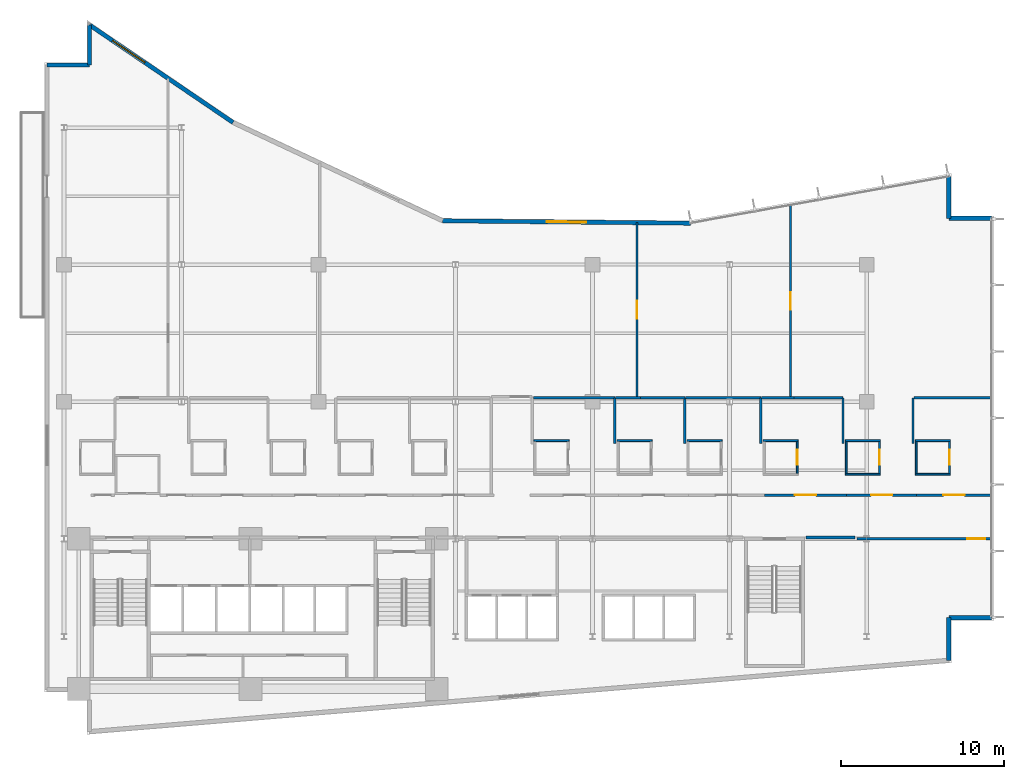
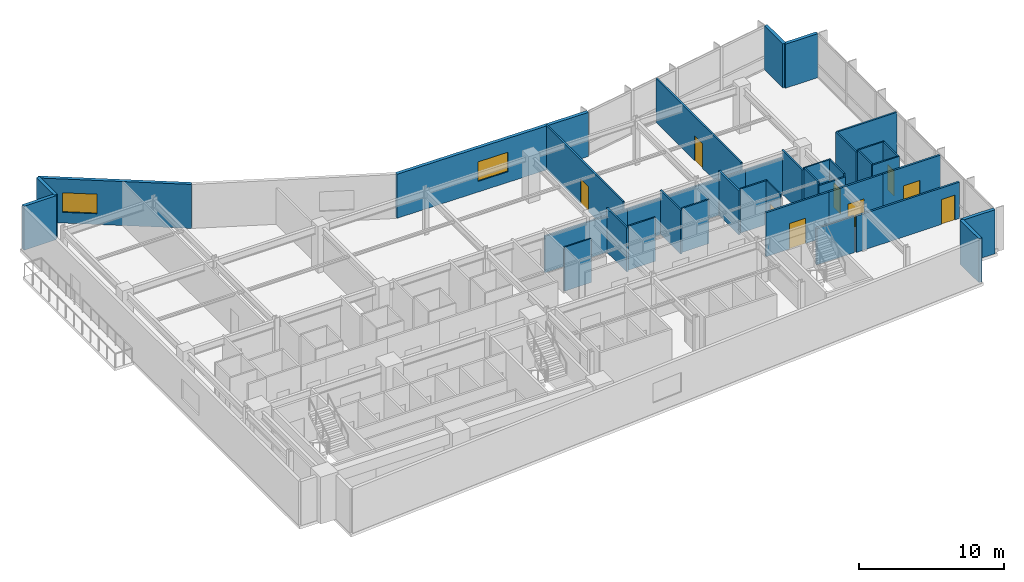
# One storey, part 15 of 21: 40 walls, 9 doors, 2 windows, 11 openings.
"""IFC4 building model written with IfcOpenShell, lengths in metres."""

import ifcopenshell
import ifcopenshell.guid

model = None  # the IFC model being written
_history = None  # IfcOwnerHistory: only IFC2X3 demands one
_inside = {}  # id of a spatial element -> (the spatial element, [elements in it])
_under = {}  # id of a project, library or spatial element -> (it, [spatial elements below it])
_declared = {}  # id of a project -> (the project, [libraries it declares])
_typed = {}  # id of a type object -> (the type object, [elements of that type])
_made_of = {}  # id of a material, layer set ... -> (it, [elements and type objects made of it])


def new_model(schema):
    """Start an empty IFC model of exactly this schema.

    Asked for "IFC4X3", IfcOpenShell would pick the latest addendum, in which some entities
    have other attributes; the version numbers below select the first issue.
    IFC2X3 requires an IfcOwnerHistory on every rooted entity: one is made here for all.
    """
    global model, _history
    if schema == "IFC4X3":
        model = ifcopenshell.file(schema_version=(4, 3, 0, 0))
    else:
        model = ifcopenshell.file(schema=schema)
    _inside.clear()
    _under.clear()
    _declared.clear()
    _typed.clear()
    _made_of.clear()
    _history = None
    if model.schema == "IFC2X3":
        org = make("IfcOrganization", Name="unknown")
        user = make(
            "IfcPersonAndOrganization",
            ThePerson=make("IfcPerson", FamilyName="unknown"),
            TheOrganization=org,
        )
        app = make(
            "IfcApplication",
            ApplicationDeveloper=org,
            Version="unknown",
            ApplicationFullName="unknown",
            ApplicationIdentifier="unknown",
        )
        _history = make(
            "IfcOwnerHistory",
            OwningUser=user,
            OwningApplication=app,
            ChangeAction="ADDED",
            CreationDate=0,
        )
    return model


def make(cls, **values):
    """One entity of the class cls with the attributes given. An attribute that is None is left unset."""
    return model.create_entity(
        cls, **{name: value for name, value in values.items() if value is not None}
    )


def rooted(cls, **values):
    """An entity with a GlobalId (a new one), such as an element, a storey or a relation."""
    return make(cls, GlobalId=ifcopenshell.guid.new(), OwnerHistory=_history, **values)


def si_unit(unit_type, name, prefix=None):
    """IfcSIUnit, for example si_unit("LENGTHUNIT", "METRE", prefix="MILLI")."""
    return make("IfcSIUnit", UnitType=unit_type, Prefix=prefix, Name=name)


def assignment(units):
    """IfcUnitAssignment: the units of a project."""
    return None if units is None else make("IfcUnitAssignment", Units=units)


def point(xyz):
    """IfcCartesianPoint."""
    return None if xyz is None else make("IfcCartesianPoint", Coordinates=xyz)


def direction(xyz):
    """IfcDirection."""
    return None if xyz is None else make("IfcDirection", DirectionRatios=xyz)


def frame(location, z_axis=None, x_axis=None):
    """IfcAxis2Placement3D, a coordinate frame: its origin and axes. An axis left out is left unset."""
    return make(
        "IfcAxis2Placement3D",
        Location=point(location),
        Axis=direction(z_axis),
        RefDirection=direction(x_axis),
    )


def frame_2d(location, x_axis=None):
    """IfcAxis2Placement2D, a coordinate frame in the plane: its origin and x axis."""
    return make(
        "IfcAxis2Placement2D", Location=point(location), RefDirection=direction(x_axis)
    )


def origin():
    """The frame at (0, 0, 0) with its axes left unset."""
    return frame((0.0, 0.0, 0.0))


def place(relative_to, where):
    """IfcLocalPlacement: puts the frame where relative to a parent placement (None: the world)."""
    return make(
        "IfcLocalPlacement", PlacementRelTo=relative_to, RelativePlacement=where
    )


def context(
    kind, dimensions, precision=None, world=None, true_north=None, identifier=None
):
    """IfcGeometricRepresentationContext, for example the 3D "Model" context."""
    return make(
        "IfcGeometricRepresentationContext",
        ContextIdentifier=identifier,
        ContextType=kind,
        CoordinateSpaceDimension=dimensions,
        Precision=precision,
        WorldCoordinateSystem=world,
        TrueNorth=true_north,
    )


def subcontext(parent, identifier, kind, view, scale=None):
    """IfcGeometricRepresentationSubContext, for example "Body" below "Model"."""
    return make(
        "IfcGeometricRepresentationSubContext",
        ContextIdentifier=identifier,
        ContextType=kind,
        ParentContext=parent,
        TargetScale=scale,
        TargetView=view,
    )


def project(units=None, contexts=None):
    """IfcProject with its units and contexts."""
    return rooted(
        "IfcProject",
        Name="project",
        RepresentationContexts=contexts,
        UnitsInContext=assignment(units),
    )


def spatial(cls, under=None, at=None, **own):
    """A site, building, storey or space (cls), placed at a placement, below another one or the project."""
    s = rooted(cls, ObjectPlacement=at, **own)
    if under is not None:
        _under.setdefault(under.id(), (under, []))[1].append(s)
    return s


def profile(cls, at=None, kind="AREA", **sizes):
    """A parametric profile (cls). Its sizes go by their IFC names, for example OverallWidth=200.0."""
    return make(cls, ProfileType=kind, Position=at, **sizes)


def rectangle(**sizes):
    """IfcRectangleProfileDef."""
    return profile("IfcRectangleProfileDef", **sizes)


def extrude(swept, where, along, depth):
    """IfcExtrudedAreaSolid: the profile swept, set in the frame where, extruded along a direction by depth."""
    return make(
        "IfcExtrudedAreaSolid",
        SweptArea=swept,
        Position=where,
        ExtrudedDirection=direction(along),
        Depth=depth,
    )


def shape(context_of_items, identifier, shape_type, items):
    """IfcShapeRepresentation: the items that make up one representation, for example the "Body"."""
    return make(
        "IfcShapeRepresentation",
        ContextOfItems=context_of_items,
        RepresentationIdentifier=identifier,
        RepresentationType=shape_type,
        Items=items,
    )


def material(Name=None, Category=None):
    """IfcMaterial."""
    return make("IfcMaterial", Name=Name, Category=Category)


def layer(
    of_material, thickness, ventilated=None, Name=None, Category=None, Priority=None
):
    """IfcMaterialLayer: one layer of a wall or slab, of a material (None: an air gap)."""
    return make(
        "IfcMaterialLayer",
        Material=of_material,
        LayerThickness=thickness,
        IsVentilated=ventilated,
        Name=Name,
        Category=Category,
        Priority=Priority,
    )


def layer_set(layers, Name=None):
    """IfcMaterialLayerSet."""
    return make("IfcMaterialLayerSet", MaterialLayers=layers, LayerSetName=Name)


def made_of(thing, what):
    """Note that an element or type object is made of a material, layer set ...; save() writes the relation."""
    if what is not None:
        _made_of.setdefault(what.id(), (what, []))[1].append(thing)
    return thing


def type_object(cls, material=None, **own):
    """A type object (cls), such as IfcWallType, which elements share."""
    return made_of(rooted(cls, **own), material)


def element(
    cls,
    number,
    at=None,
    inside=None,
    cuts=None,
    type_object=None,
    material=None,
    context=None,
    identifier="Body",
    shape_type=None,
    held_by="IfcProductDefinitionShape",
    body=None,
    shapes=None,
    **own,
):
    """One element of the class cls, such as IfcWall. Its Tag is "e" and its number.

    at: its placement. inside: the storey or other place that contains it. cuts: it is an
    opening in that element (IfcRelVoidsElement). A single representation is given by context,
    identifier, shape_type and body (its items); several are given by shapes. held_by: the class
    of the entity that holds the representations. save() writes the other relations.
    """
    e = rooted(cls, Tag="e%d" % number, ObjectPlacement=at, **own)
    if body is not None:
        shapes = [shape(context, identifier, shape_type, body)]
    if shapes is not None:
        e.Representation = make(held_by, Representations=shapes)
    if inside is not None:
        _inside.setdefault(inside.id(), (inside, []))[1].append(e)
    if cuts is not None:
        rooted(
            "IfcRelVoidsElement", RelatingBuildingElement=cuts, RelatedOpeningElement=e
        )
    if type_object is not None:
        _typed.setdefault(type_object.id(), (type_object, []))[1].append(e)
    return made_of(e, material)


def fill(opening, filler):
    """IfcRelFillsElement: the door or window that sits in an opening."""
    return rooted(
        "IfcRelFillsElement",
        RelatingOpeningElement=opening,
        RelatedBuildingElement=filler,
    )


def aggregate(whole, parts):
    """IfcRelAggregates: a whole, such as a stair, and the parts it consists of."""
    return rooted("IfcRelAggregates", RelatingObject=whole, RelatedObjects=parts)


def save(model, path):
    """Write the relations noted so far, then the file.

    IfcRelAggregates (storeys below a building ...), IfcRelContainedInSpatialStructure (elements
    in a storey), IfcRelDefinesByType, IfcRelAssociatesMaterial and IfcRelDeclares: one each for
    every whole, place, type object, material and project.
    """
    for whole, parts in _under.values():
        aggregate(whole, parts)
    for where, things in _inside.values():
        rooted(
            "IfcRelContainedInSpatialStructure",
            RelatedElements=things,
            RelatingStructure=where,
        )
    for kind, things in _typed.values():
        rooted("IfcRelDefinesByType", RelatedObjects=things, RelatingType=kind)
    for what, things in _made_of.values():
        rooted("IfcRelAssociatesMaterial", RelatedObjects=things, RelatingMaterial=what)
    for by, libraries in _declared.values():
        rooted("IfcRelDeclares", RelatingContext=by, RelatedDefinitions=libraries)
    model.write(path)


model = new_model("IFC4")

# Units and contexts
model_context = context("Model", 3, precision=1e-05, world=origin(), true_north=direction((0.0, 1.0)))
body_context = subcontext(model_context, "Body", "Model", "MODEL_VIEW")
ifc_project = project(units=[si_unit("LENGTHUNIT", "METRE"), si_unit("AREAUNIT", "SQUARE_METRE"), si_unit("VOLUMEUNIT", "CUBIC_METRE"), si_unit("PLANEANGLEUNIT", "RADIAN"), si_unit("MASSUNIT", "GRAM", prefix="KILO")], contexts=[model_context])

# Site, building, storey
site_placement = place(None, origin())
site = spatial("IfcSite", under=ifc_project, at=site_placement, CompositionType="ELEMENT")
building_placement = place(site_placement, origin())
building = spatial("IfcBuilding", under=site, at=building_placement, Name="Varnakote Quay Hospital", CompositionType="ELEMENT")
storey_placement = place(building_placement, frame((0.0, 0.0, 34.35009765625)))
storey = spatial("IfcBuildingStorey", under=building, at=storey_placement, Name="L08", CompositionType="ELEMENT", Elevation=34.35009765625)

# Walls
ifc_material_1 = material(Name="Fire-rated acoustic gypsum stud wall", Category="gypsum")
ifc_layer_1 = layer(ifc_material_1, 0.159912109375)
ifc_layer_set_1 = layer_set([ifc_layer_1], Name="Fire-rated acoustic gypsum stud wall")
wall_type_1 = type_object("IfcWallType", Name="WL-COMP-160", PredefinedType="PARTITIONING", material=ifc_layer_set_1)
wall_1_placement = place(storey_placement, frame((46.689208984375, 12.080078125, 0.0), z_axis=(0.0, 0.0, 1.0), x_axis=(1.0, 0.0, 0.0)))
element("IfcWall", 1, at=wall_1_placement, inside=storey, type_object=wall_type_1, Name="L08 Corridor South Gap Wall", PredefinedType="PARTITIONING", context=body_context, shape_type="SweptSolid", body=[
    extrude(rectangle(XDim=3.0107421875, YDim=0.159912109375, at=frame_2d((1.50537109375, 0.0))), origin(), (0.0, 0.0, 1.0), 3.072998046875),
])
ifc_material_2 = material(Name="Moisture-resistant bathroom partition", Category="gypsum")
ifc_layer_2 = layer(ifc_material_2, 0.114990234375)
ifc_layer_set_2 = layer_set([ifc_layer_2], Name="Moisture-resistant bathroom partition")
wall_type_2 = type_object("IfcWallType", Name="WL-ENS-115", PredefinedType="PARTITIONING", material=ifc_layer_set_2)
wall_2_placement = place(storey_placement, frame((30.0048828125, 18.017578125, 0.0), z_axis=(0.0, 0.0, 1.0), x_axis=(1.0, 0.0, 0.0)))
element("IfcWall", 2, at=wall_2_placement, inside=storey, type_object=wall_type_2, Name="L08 Inpatient En-Suite Bathroom 06 N Wall", PredefinedType="PARTITIONING", context=body_context, shape_type="SweptSolid", body=[
    extrude(rectangle(XDim=2.150146484375, YDim=0.114990234375, at=frame_2d((1.0751953125, 0.0))), origin(), (0.0, 0.0, 1.0), 3.7099609375),
])
for number, where, z_axis, x_axis, name in (
    (3, (35.10498046875, 18.017578125, 0.0), (0.0, 0.0, 1.0), (1.0, 0.0, 0.0), "L08 Inpatient En-Suite Bathroom 07 N Wall"),
    (4, (39.39501953125, 18.017578125, 0.0), (0.0, 0.0, 1.0), (1.0, 0.0, 0.0), "L08 Inpatient En-Suite Bathroom 08 N Wall"),
):
    element("IfcWall", number, at=place(storey_placement, frame(where, z_axis=z_axis, x_axis=x_axis)), inside=storey, type_object=wall_type_2, Name=name, PredefinedType="PARTITIONING", context=body_context, shape_type="SweptSolid", body=[
        extrude(rectangle(XDim=2.14990234375, YDim=0.114990234375, at=frame_2d((1.074951171875, 0.0))), origin(), (0.0, 0.0, 1.0), 3.7099609375),
    ])
wall_3_placement = place(storey_placement, frame((44.054931640625, 18.017578125, 0.0), z_axis=(0.0, 0.0, 1.0), x_axis=(1.0, 0.0, 0.0)))
element("IfcWall", 5, at=wall_3_placement, inside=storey, type_object=wall_type_2, Name="L08 Inpatient En-Suite Bathroom 09 N Wall", PredefinedType="PARTITIONING", context=body_context, shape_type="SweptSolid", body=[
    extrude(rectangle(XDim=2.150146484375, YDim=0.114990234375, at=frame_2d((1.0751953125, 0.0))), origin(), (0.0, 0.0, 1.0), 3.7099609375),
])

# Wall, opening, door
wall_4_placement = place(storey_placement, frame((46.1474609375, 16.010009765625, 0.0), z_axis=(0.0, 0.0, 1.0), x_axis=(0.0, 1.0, 0.0)))
wall_4 = element("IfcWall", 6, at=wall_4_placement, inside=storey, type_object=wall_type_2, Name="L08 Inpatient En-Suite Bathroom 09 E Wall", PredefinedType="PARTITIONING", context=body_context, shape_type="SweptSolid", body=[
    extrude(rectangle(XDim=1.949951171875, YDim=0.114990234375, at=frame_2d((0.97509765625, 0.0))), origin(), (0.0, 0.0, 1.0), 3.7099609375),
])
opening_1_placement = place(wall_4_placement, frame((0.514892578125, 0.0, 0.0)))
opening_1 = element("IfcOpeningElement", 7, at=opening_1_placement, cuts=wall_4, Name="Opening D-L08-ENS09", PredefinedType="OPENING", context=body_context, shape_type="SweptSolid", body=[
    extrude(rectangle(XDim=0.919921875, YDim=2.10009765625, at=frame_2d((0.4599609375, 1.050048828125))), frame((0.0, 0.0673828125, 0.0), z_axis=(0.0, -1.0, 0.0), x_axis=(1.0, 0.0, 0.0)), (0.0, 0.0, 1.0), 0.135009765625),
])
ifc_material_3 = material(Name="Moisture-sealed en-suite bathroom door")
door_type_1 = type_object("IfcDoorType", Name="DR-ENS-920x2100", OperationType="NOTDEFINED", PredefinedType="DOOR", material=ifc_material_3)
door_1_placement = place(opening_1_placement, origin())
door_1 = element("IfcDoor", 8, at=door_1_placement, inside=storey, type_object=door_type_1, Name="L08 Inpatient En-Suite Bathroom 09 Door", OperationType="SINGLE_SWING_LEFT", OverallHeight=2.10009765625, OverallWidth=0.919921875, PredefinedType="DOOR", context=body_context, shape_type="SweptSolid", body=[
    extrude(rectangle(XDim=0.919921875, YDim=2.10009765625, at=frame_2d((0.4599609375, 1.050048828125))), frame((0.0, 0.02490234375, 0.0), z_axis=(0.0, -1.0, 0.0), x_axis=(1.0, 0.0, 0.0)), (0.0, 0.0, 1.0), 0.050048828125),
])
fill(opening_1, door_1)

# Walls
wall_5_placement = place(storey_placement, frame((49.094970703125, 15.952392578125, 0.0), z_axis=(0.0, 0.0, 1.0), x_axis=(1.0, 0.0, 0.0)))
element("IfcWall", 9, at=wall_5_placement, inside=storey, type_object=wall_type_2, Name="L08 Inpatient En-Suite Bathroom 10 S Wall", PredefinedType="PARTITIONING", context=body_context, shape_type="SweptSolid", body=[
    extrude(rectangle(XDim=2.150146484375, YDim=0.114990234375, at=frame_2d((1.0751953125, 0.0))), origin(), (0.0, 0.0, 1.0), 3.477783203125),
])
wall_6_placement = place(storey_placement, frame((49.094970703125, 18.017578125, 0.0), z_axis=(0.0, 0.0, 1.0), x_axis=(1.0, 0.0, 0.0)))
element("IfcWall", 10, at=wall_6_placement, inside=storey, type_object=wall_type_2, Name="L08 Inpatient En-Suite Bathroom 10 N Wall", PredefinedType="PARTITIONING", context=body_context, shape_type="SweptSolid", body=[
    extrude(rectangle(XDim=2.150146484375, YDim=0.114990234375, at=frame_2d((1.0751953125, 0.0))), origin(), (0.0, 0.0, 1.0), 3.7099609375),
])
wall_7_placement = place(storey_placement, frame((49.152587890625, 16.010009765625, 0.0), z_axis=(0.0, 0.0, 1.0), x_axis=(0.0, 1.0, 0.0)))
element("IfcWall", 11, at=wall_7_placement, inside=storey, type_object=wall_type_2, Name="L08 Inpatient En-Suite Bathroom 10 W Wall", PredefinedType="PARTITIONING", context=body_context, shape_type="SweptSolid", body=[
    extrude(rectangle(XDim=1.949951171875, YDim=0.114990234375, at=frame_2d((0.97509765625, 0.0))), origin(), (0.0, 0.0, 1.0), 3.7099609375),
])

# Wall, opening, door
wall_8_placement = place(storey_placement, frame((51.1875, 16.010009765625, 0.0), z_axis=(0.0, 0.0, 1.0), x_axis=(0.0, 1.0, 0.0)))
wall_8 = element("IfcWall", 12, at=wall_8_placement, inside=storey, type_object=wall_type_2, Name="L08 Inpatient En-Suite Bathroom 10 E Wall", PredefinedType="PARTITIONING", context=body_context, shape_type="SweptSolid", body=[
    extrude(rectangle(XDim=1.949951171875, YDim=0.114990234375, at=frame_2d((0.97509765625, 0.0))), origin(), (0.0, 0.0, 1.0), 3.7099609375),
])
opening_2_placement = place(wall_8_placement, frame((0.514892578125, 0.0, 0.0)))
opening_2 = element("IfcOpeningElement", 13, at=opening_2_placement, cuts=wall_8, Name="Opening D-L08-ENS10", PredefinedType="OPENING", context=body_context, shape_type="SweptSolid", body=[
    extrude(rectangle(XDim=0.919921875, YDim=2.10009765625, at=frame_2d((0.4599609375, 1.050048828125))), frame((0.0, 0.0673828125, 0.0), z_axis=(0.0, -1.0, 0.0), x_axis=(1.0, 0.0, 0.0)), (0.0, 0.0, 1.0), 0.135009765625),
])
door_2_placement = place(opening_2_placement, origin())
door_2 = element("IfcDoor", 14, at=door_2_placement, inside=storey, type_object=door_type_1, Name="L08 Inpatient En-Suite Bathroom 10 Door", OperationType="SINGLE_SWING_RIGHT", OverallHeight=2.10009765625, OverallWidth=0.919921875, PredefinedType="DOOR", context=body_context, shape_type="SweptSolid", body=[
    extrude(rectangle(XDim=0.919921875, YDim=2.10009765625, at=frame_2d((0.4599609375, 1.050048828125))), frame((0.0, 0.02490234375, 0.0), z_axis=(0.0, -1.0, 0.0), x_axis=(1.0, 0.0, 0.0)), (0.0, 0.0, 1.0), 0.050048828125),
])
fill(opening_2, door_2)

# Walls
for number, where, z_axis, x_axis, name in (
    (15, (53.385009765625, 15.952392578125, 0.0), (0.0, 0.0, 1.0), (1.0, 0.0, 0.0), "L08 Inpatient En-Suite Bathroom 11 S Wall"),
    (16, (53.385009765625, 18.017578125, 0.0), (0.0, 0.0, 1.0), (1.0, 0.0, 0.0), "L08 Inpatient En-Suite Bathroom 11 N Wall"),
):
    element("IfcWall", number, at=place(storey_placement, frame(where, z_axis=z_axis, x_axis=x_axis)), inside=storey, type_object=wall_type_2, Name=name, PredefinedType="PARTITIONING", context=body_context, shape_type="SweptSolid", body=[
        extrude(rectangle(XDim=2.14990234375, YDim=0.114990234375, at=frame_2d((1.074951171875, 0.0))), origin(), (0.0, 0.0, 1.0), 3.7099609375),
    ])
wall_9_placement = place(storey_placement, frame((53.4423828125, 16.010009765625, 0.0), z_axis=(0.0, 0.0, 1.0), x_axis=(0.0, 1.0, 0.0)))
element("IfcWall", 17, at=wall_9_placement, inside=storey, type_object=wall_type_2, Name="L08 Inpatient En-Suite Bathroom 11 W Wall", PredefinedType="PARTITIONING", context=body_context, shape_type="SweptSolid", body=[
    extrude(rectangle(XDim=1.949951171875, YDim=0.114990234375, at=frame_2d((0.97509765625, 0.0))), origin(), (0.0, 0.0, 1.0), 3.7099609375),
])

# Wall, opening, door
wall_10_placement = place(storey_placement, frame((55.4775390625, 16.010009765625, 0.0), z_axis=(0.0, 0.0, 1.0), x_axis=(0.0, 1.0, 0.0)))
wall_10 = element("IfcWall", 18, at=wall_10_placement, inside=storey, type_object=wall_type_2, Name="L08 Inpatient En-Suite Bathroom 11 E Wall", PredefinedType="PARTITIONING", context=body_context, shape_type="SweptSolid", body=[
    extrude(rectangle(XDim=1.949951171875, YDim=0.114990234375, at=frame_2d((0.97509765625, 0.0))), origin(), (0.0, 0.0, 1.0), 3.7099609375),
])
opening_3_placement = place(wall_10_placement, frame((0.514892578125, 0.0, 0.0)))
opening_3 = element("IfcOpeningElement", 19, at=opening_3_placement, cuts=wall_10, Name="Opening D-L08-ENS11", PredefinedType="OPENING", context=body_context, shape_type="SweptSolid", body=[
    extrude(rectangle(XDim=0.919921875, YDim=2.10009765625, at=frame_2d((0.4599609375, 1.050048828125))), frame((0.0, 0.0673828125, 0.0), z_axis=(0.0, -1.0, 0.0), x_axis=(1.0, 0.0, 0.0)), (0.0, 0.0, 1.0), 0.135009765625),
])
door_3_placement = place(opening_3_placement, origin())
door_3 = element("IfcDoor", 20, at=door_3_placement, inside=storey, type_object=door_type_1, Name="L08 Inpatient En-Suite Bathroom 11 Door", OperationType="SINGLE_SWING_LEFT", OverallHeight=2.10009765625, OverallWidth=0.919921875, PredefinedType="DOOR", context=body_context, shape_type="SweptSolid", body=[
    extrude(rectangle(XDim=0.919921875, YDim=2.10009765625, at=frame_2d((0.4599609375, 1.050048828125))), frame((0.0, 0.02490234375, 0.0), z_axis=(0.0, -1.0, 0.0), x_axis=(1.0, 0.0, 0.0)), (0.0, 0.0, 1.0), 0.050048828125),
])
fill(opening_3, door_3)

# Walls
ifc_material_4 = material(Name="Precast concrete N50 (f'c 50 MPa)", Category="concrete")
ifc_layer_3 = layer(ifc_material_4, 0.260009765625)
ifc_layer_set_3 = layer_set([ifc_layer_3], Name="Precast concrete N50 (f'c 50 MPa)")
wall_type_3 = type_object("IfcWallType", Name="WL-EXT-BRICK-260", PredefinedType="STANDARD", material=ifc_layer_set_3)
wall_11_placement = place(storey_placement, frame((55.43994140625, 4.54736328125, 0.0), z_axis=(0.0, 0.0, 1.0), x_axis=(0.0, 1.0, 0.0)))
element("IfcWall", 21, at=wall_11_placement, inside=storey, type_object=wall_type_3, Name="L08 Brick-Faced Precast Exterior Wall", PredefinedType="STANDARD", context=body_context, shape_type="SweptSolid", body=[
    extrude(rectangle(XDim=2.612548828125, YDim=0.260009765625, at=frame_2d((1.30615234375, 0.0))), origin(), (0.0, 0.0, 1.0), 3.7099609375),
])
for number, where, z_axis, x_axis, name in (
    (22, (55.43994140625, 7.159912109375, 0.0), (0.0, 0.0, 1.0), (1.0, 0.0, 0.0), "L08 Brick-Faced Precast Exterior Wall"),
    (23, (58.0400390625, 31.639892578125, 0.0), (0.0, 0.0, 1.0), (-1.0, 0.0, 0.0), "L08 Brick-Faced Precast Exterior Wall"),
):
    element("IfcWall", number, at=place(storey_placement, frame(where, z_axis=z_axis, x_axis=x_axis)), inside=storey, type_object=wall_type_3, Name=name, PredefinedType="STANDARD", context=body_context, shape_type="SweptSolid", body=[
        extrude(rectangle(XDim=2.60009765625, YDim=0.260009765625, at=frame_2d((1.300048828125, 0.0))), origin(), (0.0, 0.0, 1.0), 3.7099609375),
    ])
wall_12_placement = place(storey_placement, frame((55.43994140625, 31.639892578125, 0.0), z_axis=(0.0, 0.0, 1.0), x_axis=(0.0, 1.0, 0.0)))
element("IfcWall", 24, at=wall_12_placement, inside=storey, type_object=wall_type_3, Name="L08 Brick-Faced Precast Exterior Wall", PredefinedType="STANDARD", context=body_context, shape_type="SweptSolid", body=[
    extrude(rectangle(XDim=2.568603515625, YDim=0.260009765625, at=frame_2d((1.2841796875, 0.0))), origin(), (0.0, 0.0, 1.0), 3.7099609375),
])

# Wall, opening, window
wall_13_placement = place(storey_placement, frame((39.589599609375, 31.343994140625, 0.0), z_axis=(0.0, 0.0, 1.0), x_axis=(-0.999952362926, 0.009760731435, 0.0)))
wall_13 = element("IfcWall", 25, at=wall_13_placement, inside=storey, type_object=wall_type_3, Name="L08 Brick-Faced Precast Exterior Wall", PredefinedType="STANDARD", context=body_context, shape_type="SweptSolid", body=[
    extrude(rectangle(XDim=15.1826171875, YDim=0.260009765625, at=frame_2d((7.59130859375, 0.0))), origin(), (0.0, 0.0, 1.0), 3.7099609375),
])
opening_4_placement = place(wall_13_placement, frame((6.391357421875, 0.0, 0.89990234375)))
opening_4 = element("IfcOpeningElement", 26, at=opening_4_placement, cuts=wall_13, Name="Opening WN-0047", PredefinedType="OPENING", context=body_context, shape_type="SweptSolid", body=[
    extrude(rectangle(XDim=2.39990234375, YDim=1.64990234375, at=frame_2d((1.199951171875, 0.824951171875))), frame((0.0, 0.139892578125, 0.0), z_axis=(0.0, -1.0, 0.0), x_axis=(1.0, 0.0, 0.0)), (0.0, 0.0, 1.0), 0.280029296875),
])
ifc_material_5 = material(Name="Double-glazed low-E solar glass", Category="glass")
window_type = type_object("IfcWindowType", Name="WIN-CLIN-2400x1650", PartitioningType="SINGLE_PANEL", PredefinedType="WINDOW", material=ifc_material_5)
window_1_placement = place(opening_4_placement, origin())
window_1 = element("IfcWindow", 27, at=window_1_placement, inside=storey, type_object=window_type, Name="L08 Solar-Control Clinical Window", OverallHeight=1.64990234375, OverallWidth=2.39990234375, PartitioningType="SINGLE_PANEL", PredefinedType="WINDOW", context=body_context, shape_type="SweptSolid", body=[
    extrude(rectangle(XDim=2.39990234375, YDim=1.64990234375, at=frame_2d((1.199951171875, 0.824951171875))), frame((0.0, 0.030029296875, 0.0), z_axis=(0.0, -1.0, 0.0), x_axis=(1.0, 0.0, 0.0)), (0.0, 0.0, 1.0), 0.06005859375),
])
fill(opening_4, window_1)

wall_14_placement = place(storey_placement, frame((11.560546875, 37.5166015625, 0.0), z_axis=(0.0, 0.0, 1.0), x_axis=(-0.827064743936, 0.562106670782, 0.0)))
wall_14 = element("IfcWall", 28, at=wall_14_placement, inside=storey, type_object=wall_type_3, Name="L08 Brick-Faced Precast Exterior Wall", PredefinedType="STANDARD", context=body_context, shape_type="SweptSolid", body=[
    extrude(rectangle(XDim=10.640625, YDim=0.260009765625, at=frame_2d((5.3203125, 0.0))), origin(), (0.0, 0.0, 1.0), 3.7099609375),
])
opening_5_placement = place(wall_14_placement, frame((6.536865234375, 0.0, 0.89990234375)))
opening_5 = element("IfcOpeningElement", 29, at=opening_5_placement, cuts=wall_14, Name="Opening WN-0049", PredefinedType="OPENING", context=body_context, shape_type="SweptSolid", body=[
    extrude(rectangle(XDim=2.39990234375, YDim=1.64990234375, at=frame_2d((1.199951171875, 0.824951171875))), frame((0.0, 0.139892578125, 0.0), z_axis=(0.0, -1.0, 0.0), x_axis=(1.0, 0.0, 0.0)), (0.0, 0.0, 1.0), 0.280029296875),
])
window_2_placement = place(opening_5_placement, origin())
window_2 = element("IfcWindow", 30, at=window_2_placement, inside=storey, type_object=window_type, Name="L08 Solar-Control Clinical Window", OverallHeight=1.64990234375, OverallWidth=2.39990234375, PartitioningType="SINGLE_PANEL", PredefinedType="WINDOW", context=body_context, shape_type="SweptSolid", body=[
    extrude(rectangle(XDim=2.39990234375, YDim=1.64990234375, at=frame_2d((1.199951171875, 0.824951171875))), frame((0.0, 0.030029296875, 0.0), z_axis=(0.0, -1.0, 0.0), x_axis=(1.0, 0.0, 0.0)), (0.0, 0.0, 1.0), 0.06005859375),
])
fill(opening_5, window_2)

# Walls
wall_15_placement = place(storey_placement, frame((2.760009765625, 43.497802734375, 0.0), z_axis=(0.0, 0.0, 1.0), x_axis=(0.0, -1.0, 0.0)))
element("IfcWall", 31, at=wall_15_placement, inside=storey, type_object=wall_type_3, Name="L08 Brick-Faced Precast Exterior Wall", PredefinedType="STANDARD", context=body_context, shape_type="SweptSolid", body=[
    extrude(rectangle(XDim=2.457763671875, YDim=0.260009765625, at=frame_2d((1.22900390625, 0.0))), origin(), (0.0, 0.0, 1.0), 3.7099609375),
])
wall_16_placement = place(storey_placement, frame((2.760009765625, 41.0400390625, 0.0), z_axis=(0.0, 0.0, 1.0), x_axis=(-1.0, 0.0, 0.0)))
element("IfcWall", 32, at=wall_16_placement, inside=storey, type_object=wall_type_3, Name="L08 Brick-Faced Precast Exterior Wall", PredefinedType="STANDARD", context=body_context, shape_type="SweptSolid", body=[
    extrude(rectangle(XDim=2.60009765625, YDim=0.260009765625, at=frame_2d((1.300048828125, 0.0))), origin(), (0.0, 0.0, 1.0), 3.7099609375),
])
ifc_material_6 = material(Name="Smoke-proof clinical partition", Category="gypsum")
ifc_layer_4 = layer(ifc_material_6, 0.135009765625)
ifc_layer_set_4 = layer_set([ifc_layer_4], Name="Smoke-proof clinical partition")
wall_type_4 = type_object("IfcWallType", Name="WL-SMOKE-135", PredefinedType="PARTITIONING", material=ifc_layer_set_4)
wall_17_placement = place(storey_placement, frame((34.9599609375, 17.83251953125, 0.0), z_axis=(0.0, 0.0, 1.0), x_axis=(0.0, 1.0, 0.0)))
element("IfcWall", 33, at=wall_17_placement, inside=storey, type_object=wall_type_4, Name="L08 Clinical Interior Partition", PredefinedType="PARTITIONING", context=body_context, shape_type="SweptSolid", body=[
    extrude(rectangle(XDim=2.807373046875, YDim=0.135009765625, at=frame_2d((1.40380859375, 0.0))), origin(), (0.0, 0.0, 1.0), 3.7099609375),
])
wall_18_placement = place(storey_placement, frame((34.9599609375, 20.639892578125, 0.0), z_axis=(0.0, 0.0, 1.0), x_axis=(-1.0, 0.0, 0.0)))
element("IfcWall", 34, at=wall_18_placement, inside=storey, type_object=wall_type_4, Name="L08 Clinical Interior Partition", PredefinedType="PARTITIONING", context=body_context, shape_type="SweptSolid", body=[
    extrude(rectangle(XDim=4.994873046875, YDim=0.135009765625, at=frame_2d((2.49755859375, 0.0))), origin(), (0.0, 0.0, 1.0), 3.072998046875),
])
wall_19_placement = place(storey_placement, frame((39.25, 17.83251953125, 0.0), z_axis=(0.0, 0.0, 1.0), x_axis=(0.0, 1.0, 0.0)))
element("IfcWall", 35, at=wall_19_placement, inside=storey, type_object=wall_type_4, Name="L08 Clinical Interior Partition", PredefinedType="PARTITIONING", context=body_context, shape_type="SweptSolid", body=[
    extrude(rectangle(XDim=2.807373046875, YDim=0.135009765625, at=frame_2d((1.40380859375, 0.0))), origin(), (0.0, 0.0, 1.0), 3.7099609375),
])
wall_20_placement = place(storey_placement, frame((36.527587890625, 20.639892578125, 0.0), z_axis=(0.0, 0.0, 1.0), x_axis=(-1.0, 0.0, 0.0)))
element("IfcWall", 36, at=wall_20_placement, inside=storey, type_object=wall_type_4, Name="L08 Clinical Interior Partition", PredefinedType="PARTITIONING", context=body_context, shape_type="SweptSolid", body=[
    extrude(rectangle(XDim=1.510009765625, YDim=0.135009765625, at=frame_2d((0.7548828125, 0.0))), origin(), (0.0, 0.0, 1.0), 3.072998046875),
])
wall_21_placement = place(storey_placement, frame((39.25, 20.639892578125, 0.0), z_axis=(0.0, 0.0, 1.0), x_axis=(-1.0, 0.0, 0.0)))
element("IfcWall", 37, at=wall_21_placement, inside=storey, type_object=wall_type_4, Name="L08 Clinical Interior Partition", PredefinedType="PARTITIONING", context=body_context, shape_type="SweptSolid", body=[
    extrude(rectangle(XDim=2.720458984375, YDim=0.135009765625, at=frame_2d((1.3603515625, 0.0))), origin(), (0.0, 0.0, 1.0), 3.072998046875),
])
wall_22_placement = place(storey_placement, frame((43.909912109375, 17.83251953125, 0.0), z_axis=(0.0, 0.0, 1.0), x_axis=(0.0, 1.0, 0.0)))
element("IfcWall", 38, at=wall_22_placement, inside=storey, type_object=wall_type_4, Name="L08 Clinical Interior Partition", PredefinedType="PARTITIONING", context=body_context, shape_type="SweptSolid", body=[
    extrude(rectangle(XDim=2.807373046875, YDim=0.135009765625, at=frame_2d((1.40380859375, 0.0))), origin(), (0.0, 0.0, 1.0), 3.7099609375),
])
wall_23_placement = place(storey_placement, frame((43.909912109375, 20.639892578125, 0.0), z_axis=(0.0, 0.0, 1.0), x_axis=(-1.0, 0.0, 0.0)))
element("IfcWall", 39, at=wall_23_placement, inside=storey, type_object=wall_type_4, Name="L08 Clinical Interior Partition", PredefinedType="PARTITIONING", context=body_context, shape_type="SweptSolid", body=[
    extrude(rectangle(XDim=4.602294921875, YDim=0.135009765625, at=frame_2d((2.30126953125, 0.0))), origin(), (0.0, 0.0, 1.0), 3.072998046875),
])
wall_24_placement = place(storey_placement, frame((48.949951171875, 17.83251953125, 0.0), z_axis=(0.0, 0.0, 1.0), x_axis=(0.0, 1.0, 0.0)))
element("IfcWall", 40, at=wall_24_placement, inside=storey, type_object=wall_type_4, Name="L08 Clinical Interior Partition", PredefinedType="PARTITIONING", context=body_context, shape_type="SweptSolid", body=[
    extrude(rectangle(XDim=2.807373046875, YDim=0.135009765625, at=frame_2d((1.40380859375, 0.0))), origin(), (0.0, 0.0, 1.0), 3.7099609375),
])
wall_25_placement = place(storey_placement, frame((45.9375, 20.639892578125, 0.0), z_axis=(0.0, 0.0, 1.0), x_axis=(-1.0, 0.0, 0.0)))
element("IfcWall", 41, at=wall_25_placement, inside=storey, type_object=wall_type_4, Name="L08 Clinical Interior Partition", PredefinedType="PARTITIONING", context=body_context, shape_type="SweptSolid", body=[
    extrude(rectangle(XDim=1.969970703125, YDim=0.135009765625, at=frame_2d((0.98486328125, 0.0))), origin(), (0.0, 0.0, 1.0), 3.072998046875),
])
wall_26_placement = place(storey_placement, frame((48.949951171875, 20.639892578125, 0.0), z_axis=(0.0, 0.0, 1.0), x_axis=(-1.0, 0.0, 0.0)))
element("IfcWall", 42, at=wall_26_placement, inside=storey, type_object=wall_type_4, Name="L08 Clinical Interior Partition", PredefinedType="PARTITIONING", context=body_context, shape_type="SweptSolid", body=[
    extrude(rectangle(XDim=3.010498046875, YDim=0.135009765625, at=frame_2d((1.50537109375, 0.0))), origin(), (0.0, 0.0, 1.0), 3.072998046875),
])
wall_27_placement = place(storey_placement, frame((53.239990234375, 17.83251953125, 0.0), z_axis=(0.0, 0.0, 1.0), x_axis=(0.0, 1.0, 0.0)))
element("IfcWall", 43, at=wall_27_placement, inside=storey, type_object=wall_type_4, Name="L08 Clinical Interior Partition", PredefinedType="PARTITIONING", context=body_context, shape_type="SweptSolid", body=[
    extrude(rectangle(XDim=2.807373046875, YDim=0.135009765625, at=frame_2d((1.40380859375, 0.0))), origin(), (0.0, 0.0, 1.0), 3.7099609375),
])
wall_28_placement = place(storey_placement, frame((58.0400390625, 20.639892578125, 0.0), z_axis=(0.0, 0.0, 1.0), x_axis=(-1.0, 0.0, 0.0)))
element("IfcWall", 44, at=wall_28_placement, inside=storey, type_object=wall_type_4, Name="L08 Clinical Interior Partition", PredefinedType="PARTITIONING", context=body_context, shape_type="SweptSolid", body=[
    extrude(rectangle(XDim=4.742431640625, YDim=0.135009765625, at=frame_2d((2.37109375, 0.0))), origin(), (0.0, 0.0, 1.0), 3.7099609375),
])

# Wall, opening, door
wall_29_placement = place(storey_placement, frame((36.320068359375, 20.697509765625, 0.0), z_axis=(0.0, 0.0, 1.0), x_axis=(0.0, 1.0, 0.0)))
wall_29 = element("IfcWall", 45, at=wall_29_placement, inside=storey, type_object=wall_type_4, Name="L08 Clinical Interior Partition", PredefinedType="PARTITIONING", context=body_context, shape_type="SweptSolid", body=[
    extrude(rectangle(XDim=10.67822265625, YDim=0.135009765625, at=frame_2d((5.339111328125, 0.0))), origin(), (0.0, 0.0, 1.0), 3.7099609375),
])
opening_6_placement = place(wall_29_placement, frame((4.789306640625, 0.0, 0.0)))
opening_6 = element("IfcOpeningElement", 46, at=opening_6_placement, cuts=wall_29, Name="Opening D-L08-MD03", PredefinedType="OPENING", context=body_context, shape_type="SweptSolid", body=[
    extrude(rectangle(XDim=1.10009765625, YDim=2.10009765625, at=frame_2d((0.550048828125, 1.050048828125))), frame((0.0, 0.077392578125, 0.0), z_axis=(0.0, -1.0, 0.0), x_axis=(1.0, 0.0, 0.0)), (0.0, 0.0, 1.0), 0.155029296875),
])
ifc_material_7 = material(Name="Acoustic timber clinical consult door", Category="wood")
door_type_2 = type_object("IfcDoorType", Name="DR-CLIN-FD30S-1100x2100", OperationType="NOTDEFINED", PredefinedType="DOOR", material=ifc_material_7)
door_4_placement = place(opening_6_placement, origin())
door_4 = element("IfcDoor", 47, at=door_4_placement, inside=storey, type_object=door_type_2, Name="L08 Acute Sub-Intensive Treatment Suite Door", OperationType="SINGLE_SWING_RIGHT", OverallHeight=2.10009765625, OverallWidth=1.10009765625, PredefinedType="DOOR", context=body_context, shape_type="SweptSolid", body=[
    extrude(rectangle(XDim=1.10009765625, YDim=2.10009765625, at=frame_2d((0.550048828125, 1.050048828125))), frame((0.0, 0.02490234375, 0.0), z_axis=(0.0, -1.0, 0.0), x_axis=(1.0, 0.0, 0.0)), (0.0, 0.0, 1.0), 0.050048828125),
])
fill(opening_6, door_4)

wall_30_placement = place(storey_placement, frame((45.72998046875, 20.697509765625, 0.0), z_axis=(0.0, 0.0, 1.0), x_axis=(0.0, 1.0, 0.0)))
wall_30 = element("IfcWall", 48, at=wall_30_placement, inside=storey, type_object=wall_type_4, Name="L08 Clinical Interior Partition", PredefinedType="PARTITIONING", context=body_context, shape_type="SweptSolid", body=[
    extrude(rectangle(XDim=11.756103515625, YDim=0.135009765625, at=frame_2d((5.8779296875, 0.0))), origin(), (0.0, 0.0, 1.0), 3.7099609375),
])
opening_7_placement = place(wall_30_placement, frame((5.328125, 0.0, 0.0)))
opening_7 = element("IfcOpeningElement", 49, at=opening_7_placement, cuts=wall_30, Name="Opening D-L08-MD04", PredefinedType="OPENING", context=body_context, shape_type="SweptSolid", body=[
    extrude(rectangle(XDim=1.10009765625, YDim=2.10009765625, at=frame_2d((0.550048828125, 1.050048828125))), frame((0.0, 0.077392578125, 0.0), z_axis=(0.0, -1.0, 0.0), x_axis=(1.0, 0.0, 0.0)), (0.0, 0.0, 1.0), 0.155029296875),
])
door_5_placement = place(opening_7_placement, origin())
door_5 = element("IfcDoor", 50, at=door_5_placement, inside=storey, type_object=door_type_2, Name="L08 Multidisciplinary Handover Meeting Room Door", OperationType="SINGLE_SWING_LEFT", OverallHeight=2.10009765625, OverallWidth=1.10009765625, PredefinedType="DOOR", context=body_context, shape_type="SweptSolid", body=[
    extrude(rectangle(XDim=1.10009765625, YDim=2.10009765625, at=frame_2d((0.550048828125, 1.050048828125))), frame((0.0, 0.02490234375, 0.0), z_axis=(0.0, -1.0, 0.0), x_axis=(1.0, 0.0, 0.0)), (0.0, 0.0, 1.0), 0.050048828125),
])
fill(opening_7, door_5)

ifc_material_8 = material(Name="Fire-rated clinical gypsum partition", Category="gypsum")
ifc_layer_5 = layer(ifc_material_8, 0.14990234375)
ifc_layer_set_5 = layer_set([ifc_layer_5], Name="Fire-rated clinical gypsum partition")
wall_type_5 = type_object("IfcWallType", Name="WL-WARD-150", PredefinedType="PARTITIONING", material=ifc_layer_set_5)
wall_31_placement = place(storey_placement, frame((58.0400390625, 12.0, 0.0), z_axis=(0.0, 0.0, 1.0), x_axis=(-1.0, 0.0, 0.0)))
wall_31 = element("IfcWall", 51, at=wall_31_placement, inside=storey, type_object=wall_type_5, Name="L08 Clinical Interior Partition", PredefinedType="PARTITIONING", context=body_context, shape_type="SweptSolid", body=[
    extrude(rectangle(XDim=8.239990234375, YDim=0.14990234375, at=frame_2d((4.1201171875, 0.0))), origin(), (0.0, 0.0, 1.0), 3.072998046875),
])
opening_8_placement = place(wall_31_placement, frame((0.368408203125, 0.0, 0.0)))
opening_8 = element("IfcOpeningElement", 52, at=opening_8_placement, cuts=wall_31, Name="Opening D-L08-SE1", PredefinedType="OPENING", context=body_context, shape_type="SweptSolid", body=[
    extrude(rectangle(XDim=1.10009765625, YDim=2.10009765625, at=frame_2d((0.550048828125, 1.050048828125))), frame((0.0, 0.0849609375, 0.0), z_axis=(0.0, -1.0, 0.0), x_axis=(1.0, 0.0, 0.0)), (0.0, 0.0, 1.0), 0.169921875),
])
door_6_placement = place(opening_8_placement, origin())
door_6 = element("IfcDoor", 53, at=door_6_placement, inside=storey, type_object=door_type_2, Name="L08 Clinical Biomedical Engineering Office Door", OperationType="SINGLE_SWING_RIGHT", OverallHeight=2.10009765625, OverallWidth=1.10009765625, PredefinedType="DOOR", context=body_context, shape_type="SweptSolid", body=[
    extrude(rectangle(XDim=1.10009765625, YDim=2.10009765625, at=frame_2d((0.550048828125, 1.050048828125))), frame((0.0, 0.02490234375, 0.0), z_axis=(0.0, -1.0, 0.0), x_axis=(1.0, 0.0, 0.0)), (0.0, 0.0, 1.0), 0.050048828125),
])
fill(opening_8, door_6)

wall_32_placement = place(storey_placement, frame((49.176025390625, 14.679931640625, 0.0), z_axis=(0.0, 0.0, 1.0), x_axis=(-1.0, 0.0, 0.0)))
wall_32 = element("IfcWall", 54, at=wall_32_placement, inside=storey, type_object=wall_type_5, Name="L08 Clinical Interior Partition", PredefinedType="PARTITIONING", context=body_context, shape_type="SweptSolid", body=[
    extrude(rectangle(XDim=5.0380859375, YDim=0.14990234375, at=frame_2d((2.51904296875, 0.0))), origin(), (0.0, 0.0, 1.0), 3.7099609375),
])
opening_9_placement = place(wall_32_placement, frame((1.868896484375, 0.0, 0.0)))
opening_9 = element("IfcOpeningElement", 55, at=opening_9_placement, cuts=wall_32, Name="Opening D-L08-BR09", PredefinedType="OPENING", context=body_context, shape_type="SweptSolid", body=[
    extrude(rectangle(XDim=1.300048828125, YDim=2.14990234375, at=frame_2d((0.64990234375, 1.074951171875))), frame((0.0, 0.0849609375, 0.0), z_axis=(0.0, -1.0, 0.0), x_axis=(1.0, 0.0, 0.0)), (0.0, 0.0, 1.0), 0.169921875),
])
ifc_material_9 = material(Name="Solid-core timber clinical bed door", Category="wood")
door_type_3 = type_object("IfcDoorType", Name="DR-WARD-FD30S-1300x2150", OperationType="NOTDEFINED", PredefinedType="DOOR", material=ifc_material_9)
door_7_placement = place(opening_9_placement, origin())
door_7 = element("IfcDoor", 56, at=door_7_placement, inside=storey, type_object=door_type_3, Name="L08 Resident Care Bedroom 09 Door", OperationType="SINGLE_SWING_RIGHT", OverallHeight=2.14990234375, OverallWidth=1.300048828125, PredefinedType="DOOR", context=body_context, shape_type="SweptSolid", body=[
    extrude(rectangle(XDim=1.300048828125, YDim=2.14990234375, at=frame_2d((0.64990234375, 1.074951171875))), frame((0.0, 0.02490234375, 0.0), z_axis=(0.0, -1.0, 0.0), x_axis=(1.0, 0.0, 0.0)), (0.0, 0.0, 1.0), 0.050048828125),
])
fill(opening_9, door_7)

wall_33_placement = place(storey_placement, frame((53.466064453125, 14.679931640625, 0.0), z_axis=(0.0, 0.0, 1.0), x_axis=(-1.0, 0.0, 0.0)))
wall_33 = element("IfcWall", 57, at=wall_33_placement, inside=storey, type_object=wall_type_5, Name="L08 Clinical Interior Partition", PredefinedType="PARTITIONING", context=body_context, shape_type="SweptSolid", body=[
    extrude(rectangle(XDim=4.2880859375, YDim=0.14990234375, at=frame_2d((2.14404296875, 0.0))), origin(), (0.0, 0.0, 1.0), 3.7099609375),
])
opening_10_placement = place(wall_33_placement, frame((1.493896484375, 0.0, 0.0)))
opening_10 = element("IfcOpeningElement", 58, at=opening_10_placement, cuts=wall_33, Name="Opening D-L08-BR10", PredefinedType="OPENING", context=body_context, shape_type="SweptSolid", body=[
    extrude(rectangle(XDim=1.300048828125, YDim=2.14990234375, at=frame_2d((0.64990234375, 1.074951171875))), frame((0.0, 0.0849609375, 0.0), z_axis=(0.0, -1.0, 0.0), x_axis=(1.0, 0.0, 0.0)), (0.0, 0.0, 1.0), 0.169921875),
])
door_8_placement = place(opening_10_placement, origin())
door_8 = element("IfcDoor", 59, at=door_8_placement, inside=storey, type_object=door_type_3, Name="L08 Resident Care Bedroom 10 Door", OperationType="SINGLE_SWING_LEFT", OverallHeight=2.14990234375, OverallWidth=1.300048828125, PredefinedType="DOOR", context=body_context, shape_type="SweptSolid", body=[
    extrude(rectangle(XDim=1.300048828125, YDim=2.14990234375, at=frame_2d((0.64990234375, 1.074951171875))), frame((0.0, 0.02490234375, 0.0), z_axis=(0.0, -1.0, 0.0), x_axis=(1.0, 0.0, 0.0)), (0.0, 0.0, 1.0), 0.050048828125),
])
fill(opening_10, door_8)

wall_34_placement = place(storey_placement, frame((58.0400390625, 14.679931640625, 0.0), z_axis=(0.0, 0.0, 1.0), x_axis=(-1.0, 0.0, 0.0)))
wall_34 = element("IfcWall", 60, at=wall_34_placement, inside=storey, type_object=wall_type_5, Name="L08 Clinical Interior Partition", PredefinedType="PARTITIONING", context=body_context, shape_type="SweptSolid", body=[
    extrude(rectangle(XDim=4.572021484375, YDim=0.14990234375, at=frame_2d((2.2861328125, 0.0))), origin(), (0.0, 0.0, 1.0), 3.7099609375),
])
opening_11_placement = place(wall_34_placement, frame((1.635986328125, 0.0, 0.0)))
opening_11 = element("IfcOpeningElement", 61, at=opening_11_placement, cuts=wall_34, Name="Opening D-L08-BR11", PredefinedType="OPENING", context=body_context, shape_type="SweptSolid", body=[
    extrude(rectangle(XDim=1.300048828125, YDim=2.14990234375, at=frame_2d((0.64990234375, 1.074951171875))), frame((0.0, 0.0849609375, 0.0), z_axis=(0.0, -1.0, 0.0), x_axis=(1.0, 0.0, 0.0)), (0.0, 0.0, 1.0), 0.169921875),
])
door_9_placement = place(opening_11_placement, origin())
door_9 = element("IfcDoor", 62, at=door_9_placement, inside=storey, type_object=door_type_3, Name="L08 Resident Care Bedroom 11 Door", OperationType="SINGLE_SWING_RIGHT", OverallHeight=2.14990234375, OverallWidth=1.300048828125, PredefinedType="DOOR", context=body_context, shape_type="SweptSolid", body=[
    extrude(rectangle(XDim=1.300048828125, YDim=2.14990234375, at=frame_2d((0.64990234375, 1.074951171875))), frame((0.0, 0.02490234375, 0.0), z_axis=(0.0, -1.0, 0.0), x_axis=(1.0, 0.0, 0.0)), (0.0, 0.0, 1.0), 0.050048828125),
])
fill(opening_11, door_9)

save(model, "model.ifc")
